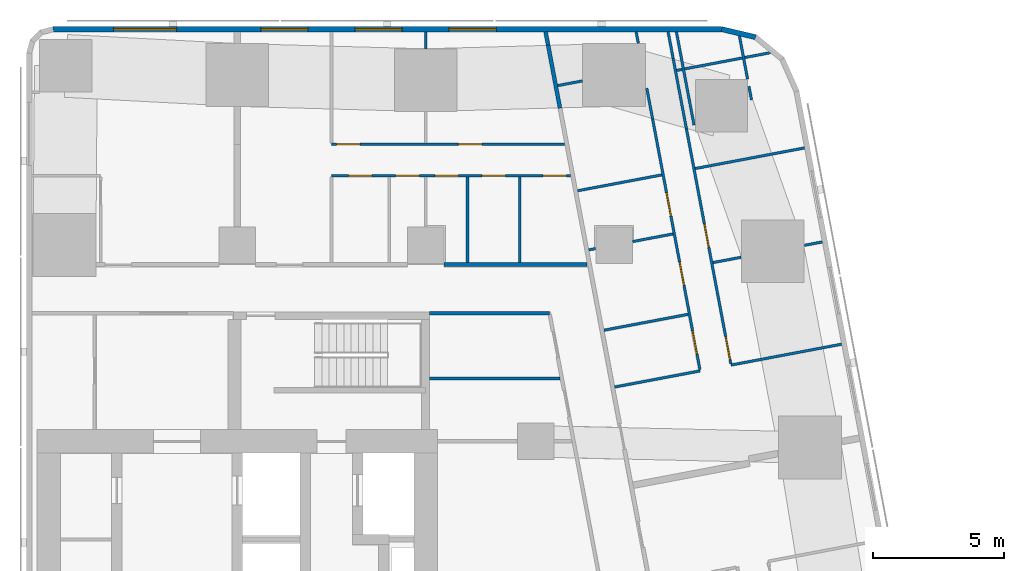
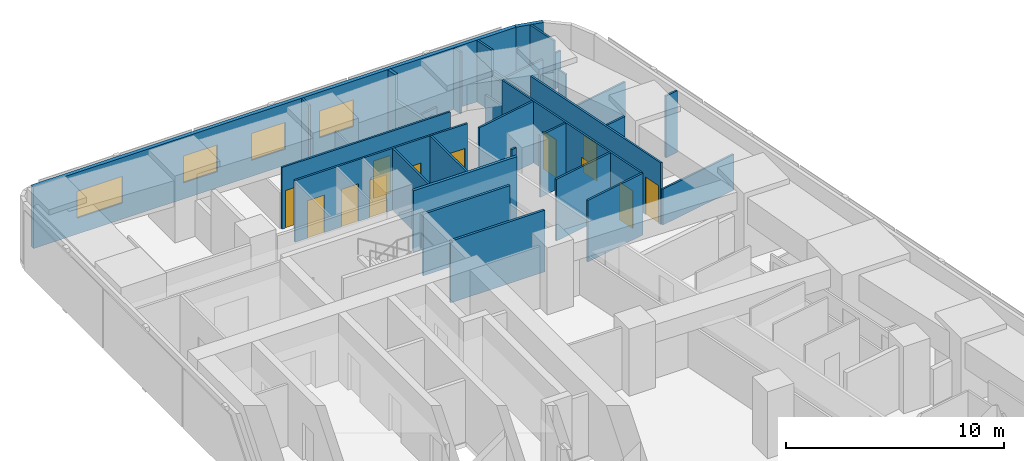
# One storey, part 7 of 10: 32 walls, 12 doors, 4 windows, 16 openings.
"""IFC4 building model written with IfcOpenShell, lengths in metres."""

from ifc_helpers import new_model, si_unit, direction, frame, frame_2d, origin, place, context, subcontext, project, spatial, rectangle, extrude, material, layer, layer_set, type_object, element, fill, save


model = new_model("IFC4")

# Units and contexts
model_context = context("Model", 3, precision=1e-05, world=origin(), true_north=direction((0.0, 1.0)))
body_context = subcontext(model_context, "Body", "Model", "MODEL_VIEW")
ifc_project = project(units=[si_unit("LENGTHUNIT", "METRE"), si_unit("AREAUNIT", "SQUARE_METRE"), si_unit("VOLUMEUNIT", "CUBIC_METRE"), si_unit("PLANEANGLEUNIT", "RADIAN"), si_unit("MASSUNIT", "GRAM", prefix="KILO")], contexts=[model_context])

# Site, building, storey
site_placement = place(None, origin())
site = spatial("IfcSite", under=ifc_project, at=site_placement, CompositionType="ELEMENT")
building_placement = place(site_placement, origin())
building = spatial("IfcBuilding", under=site, at=building_placement, Name="Sheger Commons Tower", CompositionType="ELEMENT")
storey_placement = place(building_placement, frame((0.0, 0.0, 242.449951171875)))
storey = spatial("IfcBuildingStorey", under=building, at=storey_placement, Name="L62", CompositionType="ELEMENT", Elevation=242.449951171875)

# Walls
ifc_material_1 = material(Name="Hollow concrete block masonry, skimmed both sides", Category="masonry")
ifc_layer_1 = layer(ifc_material_1, 0.14990234375)
ifc_layer_set_1 = layer_set([ifc_layer_1], Name="CORRIDOR WALL 150")
wall_type_1 = type_object("IfcWallType", Name="CORRIDOR WALL 150", PredefinedType="SOLIDWALL", material=ifc_layer_set_1)
wall_1_placement = place(storey_placement, frame((29.5009765625, 36.75, 0.0), z_axis=(0.0, 0.0, 1.0), x_axis=(1.0, 0.0, 0.0)))
element("IfcWall", 1, at=wall_1_placement, inside=storey, type_object=wall_type_1, Name="Corridor wall L62", PredefinedType="SOLIDWALL", context=body_context, shape_type="SweptSolid", body=[
    extrude(rectangle(XDim=5.470947265625, YDim=0.14990234375, at=frame_2d((2.7353515625, 0.0))), origin(), (0.0, 0.0, 1.0), 3.449951171875),
])
wall_2_placement = place(storey_placement, frame((33.382080078125, 45.64990234375, 0.0), z_axis=(0.0, 0.0, 1.0), x_axis=(0.185657456326, -0.982614527122, 0.0)))
element("IfcWall", 2, at=wall_2_placement, inside=storey, type_object=wall_type_1, Name="Corridor wall L62", PredefinedType="SOLIDWALL", context=body_context, shape_type="SweptSolid", body=[
    extrude(rectangle(XDim=0.516845703125, YDim=0.14990234375, at=frame_2d((0.25830078125, 0.0))), origin(), (0.0, 0.0, 1.0), 3.449951171875),
])
wall_3_placement = place(storey_placement, frame((33.47802734375, 45.14208984375, 0.0), z_axis=(0.0, 0.0, 1.0), x_axis=(0.185393362436, -0.982664388876, 0.0)))
element("IfcWall", 3, at=wall_3_placement, inside=storey, type_object=wall_type_1, Name="Corridor wall L62", PredefinedType="SOLIDWALL", context=body_context, shape_type="SweptSolid", body=[
    extrude(rectangle(XDim=2.45458984375, YDim=0.14990234375, at=frame_2d((1.227294921875, 0.0))), origin(), (0.0, 0.0, 1.0), 2.0),
])
ifc_material_2 = material(Name="Rendered concrete block masonry, dark grey", Category="masonry")
ifc_layer_2 = layer(ifc_material_2, 0.199951171875)
ifc_layer_set_2 = layer_set([ifc_layer_2], Name="FACADE WALL 200")
wall_type_2 = type_object("IfcWallType", Name="FACADE WALL 200", PredefinedType="SOLIDWALL", material=ifc_layer_set_2)
wall_4_placement = place(storey_placement, frame((41.406982421875, 45.444091796875, 0.0), z_axis=(0.0, 0.0, 1.0), x_axis=(-0.973453091607, 0.228886606077, 0.0)))
element("IfcWall", 4, at=wall_4_placement, inside=storey, type_object=wall_type_2, Name="Facade wall L62", PredefinedType="SOLIDWALL", context=body_context, shape_type="SweptSolid", body=[
    extrude(rectangle(XDim=1.33642578125, YDim=0.199951171875, at=frame_2d((0.668212890625, 0.0))), origin(), (0.0, 0.0, 1.0), 3.449951171875),
])

# Wall, openings, windows
wall_5_placement = place(storey_placement, frame((40.10595703125, 45.75, 0.0), z_axis=(0.0, 0.0, 1.0), x_axis=(-1.0, 0.0, 0.0)))
wall_5 = element("IfcWall", 5, at=wall_5_placement, inside=storey, type_object=wall_type_2, Name="Facade wall L62", PredefinedType="SOLIDWALL", context=body_context, shape_type="SweptSolid", body=[
    extrude(rectangle(XDim=25.54296875, YDim=0.199951171875, at=frame_2d((12.771484375, 0.0))), origin(), (0.0, 0.0, 1.0), 3.449951171875),
])
opening_1_placement = place(wall_5_placement, frame((8.60595703125, 0.0, 0.89990234375)))
opening_1 = element("IfcOpeningElement", 6, at=opening_1_placement, cuts=wall_5, Name="Opening W2", PredefinedType="OPENING", context=body_context, shape_type="SweptSolid", body=[
    extrude(rectangle(XDim=1.800048828125, YDim=1.5, at=frame_2d((0.89990234375, 0.75))), frame((0.0, 0.10986328125, 0.0), z_axis=(0.0, -1.0, 0.0), x_axis=(1.0, 0.0, 0.0)), (0.0, 0.0, 1.0), 0.219970703125),
])
opening_2_placement = place(wall_5_placement, frame((12.2060546875, 0.0, 0.89990234375)))
opening_2 = element("IfcOpeningElement", 7, at=opening_2_placement, cuts=wall_5, Name="Opening W2", PredefinedType="OPENING", context=body_context, shape_type="SweptSolid", body=[
    extrude(rectangle(XDim=1.800048828125, YDim=1.5, at=frame_2d((0.89990234375, 0.75))), frame((0.0, 0.10986328125, 0.0), z_axis=(0.0, -1.0, 0.0), x_axis=(1.0, 0.0, 0.0)), (0.0, 0.0, 1.0), 0.219970703125),
])
opening_3_placement = place(wall_5_placement, frame((15.805908203125, 0.0, 0.89990234375)))
opening_3 = element("IfcOpeningElement", 8, at=opening_3_placement, cuts=wall_5, Name="Opening W2", PredefinedType="OPENING", context=body_context, shape_type="SweptSolid", body=[
    extrude(rectangle(XDim=1.800048828125, YDim=1.5, at=frame_2d((0.89990234375, 0.75))), frame((0.0, 0.10986328125, 0.0), z_axis=(0.0, -1.0, 0.0), x_axis=(1.0, 0.0, 0.0)), (0.0, 0.0, 1.0), 0.219970703125),
])
opening_4_placement = place(wall_5_placement, frame((20.824951171875, 0.0, 0.89990234375)))
opening_4 = element("IfcOpeningElement", 9, at=opening_4_placement, cuts=wall_5, Name="Opening W1", PredefinedType="OPENING", context=body_context, shape_type="SweptSolid", body=[
    extrude(rectangle(XDim=2.39990234375, YDim=1.5, at=frame_2d((1.199951171875, 0.75))), frame((0.0, 0.10986328125, 0.0), z_axis=(0.0, -1.0, 0.0), x_axis=(1.0, 0.0, 0.0)), (0.0, 0.0, 1.0), 0.219970703125),
])
ifc_material_3 = material(Name="Black aluminium frame, dark tinted double glazing", Category="aluminium")
window_type_1 = type_object("IfcWindowType", Name="WINDOW W1 2400x1500", PartitioningType="SINGLE_PANEL", PredefinedType="WINDOW", material=ifc_material_3)
window_1_placement = place(opening_4_placement, origin())
window_1 = element("IfcWindow", 10, at=window_1_placement, inside=storey, type_object=window_type_1, Name="Window W1 2400X1500", OverallHeight=1.5, OverallWidth=2.39990234375, PartitioningType="SINGLE_PANEL", PredefinedType="WINDOW", context=body_context, shape_type="SweptSolid", body=[
    extrude(rectangle(XDim=2.39990234375, YDim=1.5, at=frame_2d((1.199951171875, 0.75))), frame((0.0, 0.030029296875, 0.0), z_axis=(0.0, -1.0, 0.0), x_axis=(1.0, 0.0, 0.0)), (0.0, 0.0, 1.0), 0.06005859375),
])
fill(opening_4, window_1)
ifc_material_4 = material(Name="Black aluminium frame, dark tinted double glazing", Category="aluminium")
window_type_2 = type_object("IfcWindowType", Name="WINDOW W2 1800x1500", PartitioningType="SINGLE_PANEL", PredefinedType="WINDOW", material=ifc_material_4)
window_2_placement = place(opening_1_placement, origin())
window_2 = element("IfcWindow", 11, at=window_2_placement, inside=storey, type_object=window_type_2, Name="Window W2 1800X1500", OverallHeight=1.5, OverallWidth=1.800048828125, PartitioningType="SINGLE_PANEL", PredefinedType="WINDOW", context=body_context, shape_type="SweptSolid", body=[
    extrude(rectangle(XDim=1.800048828125, YDim=1.5, at=frame_2d((0.89990234375, 0.75))), frame((0.0, 0.030029296875, 0.0), z_axis=(0.0, -1.0, 0.0), x_axis=(1.0, 0.0, 0.0)), (0.0, 0.0, 1.0), 0.06005859375),
])
fill(opening_1, window_2)
window_3_placement = place(opening_2_placement, origin())
window_3 = element("IfcWindow", 12, at=window_3_placement, inside=storey, type_object=window_type_2, Name="Window W2 1800X1500", OverallHeight=1.5, OverallWidth=1.800048828125, PartitioningType="SINGLE_PANEL", PredefinedType="WINDOW", context=body_context, shape_type="SweptSolid", body=[
    extrude(rectangle(XDim=1.800048828125, YDim=1.5, at=frame_2d((0.89990234375, 0.75))), frame((0.0, 0.030029296875, 0.0), z_axis=(0.0, -1.0, 0.0), x_axis=(1.0, 0.0, 0.0)), (0.0, 0.0, 1.0), 0.06005859375),
])
fill(opening_2, window_3)
window_4_placement = place(opening_3_placement, origin())
window_4 = element("IfcWindow", 13, at=window_4_placement, inside=storey, type_object=window_type_2, Name="Window W2 1800X1500", OverallHeight=1.5, OverallWidth=1.800048828125, PartitioningType="SINGLE_PANEL", PredefinedType="WINDOW", context=body_context, shape_type="SweptSolid", body=[
    extrude(rectangle(XDim=1.800048828125, YDim=1.5, at=frame_2d((0.89990234375, 0.75))), frame((0.0, 0.030029296875, 0.0), z_axis=(0.0, -1.0, 0.0), x_axis=(1.0, 0.0, 0.0)), (0.0, 0.0, 1.0), 0.06005859375),
])
fill(opening_3, window_4)

# Walls
ifc_material_5 = material(Name="Gypsum board on steel studs", Category="steel")
ifc_layer_3 = layer(ifc_material_5, 0.10009765625)
ifc_layer_set_3 = layer_set([ifc_layer_3], Name="PARTITION 100")
wall_type_3 = type_object("IfcWallType", Name="PARTITION 100", PredefinedType="PARTITIONING", material=ifc_layer_set_3)
wall_6_placement = place(storey_placement, frame((39.053955078125, 42.0849609375, 0.0), z_axis=(0.0, 0.0, 1.0), x_axis=(-0.185791584218, 0.982589175207, 0.0)))
element("IfcWall", 14, at=wall_6_placement, inside=storey, type_object=wall_type_3, Name="Partition L62", PredefinedType="PARTITIONING", context=body_context, shape_type="SweptSolid", body=[
    extrude(rectangle(XDim=3.628173828125, YDim=0.10009765625, at=frame_2d((1.81396484375, 0.0))), origin(), (0.0, 0.0, 1.0), 2.0),
])
wall_7_placement = place(storey_placement, frame((40.7890625, 45.487060546875, 0.0), z_axis=(0.0, 0.0, 1.0), x_axis=(0.185572395193, -0.982630594955, 0.0)))
element("IfcWall", 15, at=wall_7_placement, inside=storey, type_object=wall_type_3, Name="Partition L62", PredefinedType="PARTITIONING", context=body_context, shape_type="SweptSolid", body=[
    extrude(rectangle(XDim=1.676025390625, YDim=0.10009765625, at=frame_2d((0.837890625, 0.0))), origin(), (0.0, 0.0, 1.0), 3.449951171875),
])
wall_8_placement = place(storey_placement, frame((41.15087890625, 43.569091796875, 0.0), z_axis=(0.0, 0.0, 1.0), x_axis=(0.186563073924, -0.982442985342, 0.0)))
element("IfcWall", 16, at=wall_8_placement, inside=storey, type_object=wall_type_3, Name="Partition L62", PredefinedType="PARTITIONING", context=body_context, shape_type="SweptSolid", body=[
    extrude(rectangle(XDim=0.53125, YDim=0.10009765625, at=frame_2d((0.265625, 0.0))), origin(), (0.0, 0.0, 1.0), 2.0),
])
wall_9_placement = place(storey_placement, frame((38.06298828125, 45.64990234375, 0.0), z_axis=(0.0, 0.0, 1.0), x_axis=(0.185677287841, -0.982610779902, 0.0)))
element("IfcWall", 17, at=wall_9_placement, inside=storey, type_object=wall_type_3, Name="Partition L62", PredefinedType="PARTITIONING", context=body_context, shape_type="SweptSolid", body=[
    extrude(rectangle(XDim=1.0400390625, YDim=0.10009765625, at=frame_2d((0.52001953125, 0.0))), origin(), (0.0, 0.0, 1.0), 3.449951171875),
])
wall_10_placement = place(storey_placement, frame((38.256103515625, 44.6279296875, 0.0), z_axis=(0.0, 0.0, 1.0), x_axis=(0.185700639943, -0.982606366927, 0.0)))
element("IfcWall", 18, at=wall_10_placement, inside=storey, type_object=wall_type_3, Name="Partition L62", PredefinedType="PARTITIONING", context=body_context, shape_type="SweptSolid", body=[
    extrude(rectangle(XDim=2.734619140625, YDim=0.10009765625, at=frame_2d((1.3671875, 0.0))), origin(), (0.0, 0.0, 1.0), 2.0),
])

# Wall, openings, doors
wall_11_placement = place(storey_placement, frame((38.763916015625, 41.94091796875, 0.0), z_axis=(0.0, 0.0, 1.0), x_axis=(0.185548572312, -0.982635093671, 0.0)))
wall_11 = element("IfcWall", 19, at=wall_11_placement, inside=storey, type_object=wall_type_3, Name="Partition L62", PredefinedType="PARTITIONING", context=body_context, shape_type="SweptSolid", body=[
    extrude(rectangle(XDim=9.135498046875, YDim=0.10009765625, at=frame_2d((4.56787109375, 0.0))), origin(), (0.0, 0.0, 1.0), 3.449951171875),
])
opening_5_placement = place(wall_11_placement, frame((8.0849609375, 0.0, 0.0)))
opening_5 = element("IfcOpeningElement", 20, at=opening_5_placement, cuts=wall_11, Name="Opening D2", PredefinedType="OPENING", context=body_context, shape_type="SweptSolid", body=[
    extrude(rectangle(XDim=0.89990234375, YDim=2.10009765625, at=frame_2d((0.449951171875, 1.050048828125))), frame((0.0, 0.06005859375, 0.0), z_axis=(0.0, -1.0, 0.0), x_axis=(1.0, 0.0, 0.0)), (0.0, 0.0, 1.0), 0.1201171875),
])
opening_6_placement = place(wall_11_placement, frame((3.699951171875, 0.0, 0.0)))
opening_6 = element("IfcOpeningElement", 21, at=opening_6_placement, cuts=wall_11, Name="Opening D2", PredefinedType="OPENING", context=body_context, shape_type="SweptSolid", body=[
    extrude(rectangle(XDim=0.89990234375, YDim=2.10009765625, at=frame_2d((0.449951171875, 1.050048828125))), frame((0.0, 0.06005859375, 0.0), z_axis=(0.0, -1.0, 0.0), x_axis=(1.0, 0.0, 0.0)), (0.0, 0.0, 1.0), 0.1201171875),
])
ifc_material_6 = material(Name="Timber door set", Category="wood")
door_type = type_object("IfcDoorType", Name="INTERNAL DOOR 900x2100", OperationType="NOTDEFINED", PredefinedType="DOOR", material=ifc_material_6)
door_1_placement = place(opening_5_placement, origin())
door_1 = element("IfcDoor", 22, at=door_1_placement, inside=storey, type_object=door_type, Name="Main bedroom door", OperationType="SINGLE_SWING_RIGHT", OverallHeight=2.10009765625, OverallWidth=0.89990234375, PredefinedType="DOOR", context=body_context, shape_type="SweptSolid", body=[
    extrude(rectangle(XDim=0.89990234375, YDim=2.10009765625, at=frame_2d((0.449951171875, 1.050048828125))), frame((0.0, 0.02490234375, 0.0), z_axis=(0.0, -1.0, 0.0), x_axis=(1.0, 0.0, 0.0)), (0.0, 0.0, 1.0), 0.050048828125),
])
fill(opening_5, door_1)
door_2_placement = place(opening_6_placement, origin())
door_2 = element("IfcDoor", 23, at=door_2_placement, inside=storey, type_object=door_type, Name="Bedroom 2 door", OperationType="SINGLE_SWING_RIGHT", OverallHeight=2.10009765625, OverallWidth=0.89990234375, PredefinedType="DOOR", context=body_context, shape_type="SweptSolid", body=[
    extrude(rectangle(XDim=0.89990234375, YDim=2.10009765625, at=frame_2d((0.449951171875, 1.050048828125))), frame((0.0, 0.02490234375, 0.0), z_axis=(0.0, -1.0, 0.0), x_axis=(1.0, 0.0, 0.0)), (0.0, 0.0, 1.0), 0.050048828125),
])
fill(opening_6, door_2)

# Walls
wall_12_placement = place(storey_placement, frame((36.842041015625, 45.64990234375, 0.0), z_axis=(0.0, 0.0, 1.0), x_axis=(0.185407859198, -0.982661653748, 0.0)))
element("IfcWall", 24, at=wall_12_placement, inside=storey, type_object=wall_type_3, Name="Partition L62", PredefinedType="PARTITIONING", context=body_context, shape_type="SweptSolid", body=[
    extrude(rectangle(XDim=0.44775390625, YDim=0.10009765625, at=frame_2d((0.223876953125, 0.0))), origin(), (0.0, 0.0, 1.0), 3.449951171875),
])
wall_13_placement = place(storey_placement, frame((37.2490234375, 43.492919921875, 0.0), z_axis=(0.0, 0.0, 1.0), x_axis=(0.185817643817, -0.982584247404, 0.0)))
element("IfcWall", 25, at=wall_13_placement, inside=storey, type_object=wall_type_3, Name="Partition L62", PredefinedType="PARTITIONING", context=body_context, shape_type="SweptSolid", body=[
    extrude(rectangle(XDim=1.204833984375, YDim=0.10009765625, at=frame_2d((0.6025390625, 0.0))), origin(), (0.0, 0.0, 1.0), 2.0),
])

# Wall, openings, doors
wall_14_placement = place(storey_placement, frame((37.472900390625, 42.30908203125, 0.0), z_axis=(0.0, 0.0, 1.0), x_axis=(0.185491912953, -0.982645790827, 0.0)))
wall_14 = element("IfcWall", 26, at=wall_14_placement, inside=storey, type_object=wall_type_3, Name="Partition L62", PredefinedType="PARTITIONING", context=body_context, shape_type="SweptSolid", body=[
    extrude(rectangle(XDim=9.737060546875, YDim=0.10009765625, at=frame_2d((4.86865234375, 0.0))), origin(), (0.0, 0.0, 1.0), 3.449951171875),
])
opening_7_placement = place(wall_14_placement, frame((8.23193359375, 0.0, 0.0)))
opening_7 = element("IfcOpeningElement", 27, at=opening_7_placement, cuts=wall_14, Name="Opening D2", PredefinedType="OPENING", context=body_context, shape_type="SweptSolid", body=[
    extrude(rectangle(XDim=0.89990234375, YDim=2.10009765625, at=frame_2d((0.449951171875, 1.050048828125))), frame((0.0, 0.06005859375, 0.0), z_axis=(0.0, -1.0, 0.0), x_axis=(1.0, 0.0, 0.0)), (0.0, 0.0, 1.0), 0.1201171875),
])
opening_8_placement = place(wall_14_placement, frame((2.85302734375, 0.0, 0.0)))
opening_8 = element("IfcOpeningElement", 28, at=opening_8_placement, cuts=wall_14, Name="Opening D2", PredefinedType="OPENING", context=body_context, shape_type="SweptSolid", body=[
    extrude(rectangle(XDim=0.89990234375, YDim=2.10009765625, at=frame_2d((0.449951171875, 1.050048828125))), frame((0.0, 0.06005859375, 0.0), z_axis=(0.0, -1.0, 0.0), x_axis=(1.0, 0.0, 0.0)), (0.0, 0.0, 1.0), 0.1201171875),
])
opening_9_placement = place(wall_14_placement, frame((5.56396484375, 0.0, 0.0)))
opening_9 = element("IfcOpeningElement", 29, at=opening_9_placement, cuts=wall_14, Name="Opening D2", PredefinedType="OPENING", context=body_context, shape_type="SweptSolid", body=[
    extrude(rectangle(XDim=0.89990234375, YDim=2.10009765625, at=frame_2d((0.449951171875, 1.050048828125))), frame((0.0, 0.06005859375, 0.0), z_axis=(0.0, -1.0, 0.0), x_axis=(1.0, 0.0, 0.0)), (0.0, 0.0, 1.0), 0.1201171875),
])
door_3_placement = place(opening_7_placement, origin())
door_3 = element("IfcDoor", 30, at=door_3_placement, inside=storey, type_object=door_type, Name="Bathroom door", OperationType="SINGLE_SWING_LEFT", OverallHeight=2.10009765625, OverallWidth=0.89990234375, PredefinedType="DOOR", context=body_context, shape_type="SweptSolid", body=[
    extrude(rectangle(XDim=0.89990234375, YDim=2.10009765625, at=frame_2d((0.449951171875, 1.050048828125))), frame((0.0, 0.02490234375, 0.0), z_axis=(0.0, -1.0, 0.0), x_axis=(1.0, 0.0, 0.0)), (0.0, 0.0, 1.0), 0.050048828125),
])
fill(opening_7, door_3)
door_4_placement = place(opening_8_placement, origin())
door_4 = element("IfcDoor", 31, at=door_4_placement, inside=storey, type_object=door_type, Name="Laundry room door", OperationType="SINGLE_SWING_LEFT", OverallHeight=2.10009765625, OverallWidth=0.89990234375, PredefinedType="DOOR", context=body_context, shape_type="SweptSolid", body=[
    extrude(rectangle(XDim=0.89990234375, YDim=2.10009765625, at=frame_2d((0.449951171875, 1.050048828125))), frame((0.0, 0.02490234375, 0.0), z_axis=(0.0, -1.0, 0.0), x_axis=(1.0, 0.0, 0.0)), (0.0, 0.0, 1.0), 0.050048828125),
])
fill(opening_8, door_4)
door_5_placement = place(opening_9_placement, origin())
door_5 = element("IfcDoor", 32, at=door_5_placement, inside=storey, type_object=door_type, Name="Store door", OperationType="SINGLE_SWING_LEFT", OverallHeight=2.10009765625, OverallWidth=0.89990234375, PredefinedType="DOOR", context=body_context, shape_type="SweptSolid", body=[
    extrude(rectangle(XDim=0.89990234375, YDim=2.10009765625, at=frame_2d((0.449951171875, 1.050048828125))), frame((0.0, 0.02490234375, 0.0), z_axis=(0.0, -1.0, 0.0), x_axis=(1.0, 0.0, 0.0)), (0.0, 0.0, 1.0), 0.050048828125),
])
fill(opening_9, door_5)

# Walls
wall_15_placement = place(storey_placement, frame((41.968017578125, 44.85009765625, 0.0), z_axis=(0.0, 0.0, 1.0), x_axis=(-0.98258614234, -0.185807623311, 0.0)))
element("IfcWall", 33, at=wall_15_placement, inside=storey, type_object=wall_type_3, Name="Partition L62", PredefinedType="PARTITIONING", context=body_context, shape_type="SweptSolid", body=[
    extrude(rectangle(XDim=3.638427734375, YDim=0.10009765625, at=frame_2d((1.8193359375, 0.0))), origin(), (0.0, 0.0, 1.0), 2.0),
])
wall_16_placement = place(storey_placement, frame((43.277099609375, 41.2119140625, 0.0), z_axis=(0.0, 0.0, 1.0), x_axis=(-0.982665405803, -0.185387972203, 0.0)))
element("IfcWall", 34, at=wall_16_placement, inside=storey, type_object=wall_type_3, Name="Partition L62", PredefinedType="PARTITIONING", context=body_context, shape_type="SweptSolid", body=[
    extrude(rectangle(XDim=4.249755859375, YDim=0.10009765625, at=frame_2d((2.125, 0.0))), origin(), (0.0, 0.0, 1.0), 2.0),
])
wall_17_placement = place(storey_placement, frame((43.955078125, 37.6201171875, 0.0), z_axis=(0.0, 0.0, 1.0), x_axis=(-0.982495415327, -0.186286765128, 0.0)))
element("IfcWall", 35, at=wall_17_placement, inside=storey, type_object=wall_type_3, Name="Partition L62", PredefinedType="PARTITIONING", context=body_context, shape_type="SweptSolid", body=[
    extrude(rectangle(XDim=0.693359375, YDim=0.10009765625, at=frame_2d((0.3466796875, 0.0))), origin(), (0.0, 0.0, 1.0), 3.449951171875),
])
wall_18_placement = place(storey_placement, frame((40.85400390625, 37.033935546875, 0.0), z_axis=(0.0, 0.0, 1.0), x_axis=(-0.982651678759, -0.185460718839, 0.0)))
element("IfcWall", 36, at=wall_18_placement, inside=storey, type_object=wall_type_3, Name="Partition L62", PredefinedType="PARTITIONING", context=body_context, shape_type="SweptSolid", body=[
    extrude(rectangle(XDim=1.093994140625, YDim=0.10009765625, at=frame_2d((0.546875, 0.0))), origin(), (0.0, 0.0, 1.0), 3.449951171875),
])
wall_19_placement = place(storey_placement, frame((44.693115234375, 33.712890625, 0.0), z_axis=(0.0, 0.0, 1.0), x_axis=(-0.982633535512, -0.185556823879, 0.0)))
element("IfcWall", 37, at=wall_19_placement, inside=storey, type_object=wall_type_3, Name="Partition L62", PredefinedType="PARTITIONING", context=body_context, shape_type="SweptSolid", body=[
    extrude(rectangle(XDim=4.2998046875, YDim=0.10009765625, at=frame_2d((2.14990234375, 0.0))), origin(), (0.0, 0.0, 1.0), 2.0),
])
wall_20_placement = place(storey_placement, frame((34.7900390625, 43.77197265625, 0.0), z_axis=(0.0, 0.0, 1.0), x_axis=(-0.982655532093, -0.185440301034, 0.0)))
element("IfcWall", 38, at=wall_20_placement, inside=storey, type_object=wall_type_3, Name="Partition L62", PredefinedType="PARTITIONING", context=body_context, shape_type="SweptSolid", body=[
    extrude(rectangle(XDim=0.959716796875, YDim=0.10009765625, at=frame_2d((0.47998046875, 0.0))), origin(), (0.0, 0.0, 1.0), 2.0),
])
wall_21_placement = place(storey_placement, frame((37.822998046875, 40.181884765625, 0.0), z_axis=(0.0, 0.0, 1.0), x_axis=(-0.982664729897, -0.18539155487, 0.0)))
element("IfcWall", 39, at=wall_21_placement, inside=storey, type_object=wall_type_3, Name="Partition L62", PredefinedType="PARTITIONING", context=body_context, shape_type="SweptSolid", body=[
    extrude(rectangle(XDim=3.273681640625, YDim=0.10009765625, at=frame_2d((1.63671875, 0.0))), origin(), (0.0, 0.0, 1.0), 3.449951171875),
])
wall_22_placement = place(storey_placement, frame((38.25, 37.925048828125, 0.0), z_axis=(0.0, 0.0, 1.0), x_axis=(-0.982610209589, -0.185680305934, 0.0)))
element("IfcWall", 40, at=wall_22_placement, inside=storey, type_object=wall_type_3, Name="Partition L62", PredefinedType="PARTITIONING", context=body_context, shape_type="SweptSolid", body=[
    extrude(rectangle(XDim=1.5673828125, YDim=0.10009765625, at=frame_2d((0.78369140625, 0.0))), origin(), (0.0, 0.0, 1.0), 3.449951171875),
])
wall_23_placement = place(storey_placement, frame((35.2900390625, 37.365966796875, 0.0), z_axis=(0.0, 0.0, 1.0), x_axis=(-0.982395465615, -0.18681313963, 0.0)))
element("IfcWall", 41, at=wall_23_placement, inside=storey, type_object=wall_type_3, Name="Partition L62", PredefinedType="PARTITIONING", context=body_context, shape_type="SweptSolid", body=[
    extrude(rectangle(XDim=0.2626953125, YDim=0.10009765625, at=frame_2d((0.13134765625, 0.0))), origin(), (0.0, 0.0, 1.0), 3.449951171875),
])
wall_24_placement = place(storey_placement, frame((39.2890625, 32.69189453125, 0.0), z_axis=(0.0, 0.0, 1.0), x_axis=(-0.982633623707, -0.185556356831, 0.0)))
element("IfcWall", 42, at=wall_24_placement, inside=storey, type_object=wall_type_3, Name="Partition L62", PredefinedType="PARTITIONING", context=body_context, shape_type="SweptSolid", body=[
    extrude(rectangle(XDim=3.324951171875, YDim=0.10009765625, at=frame_2d((1.66259765625, 0.0))), origin(), (0.0, 0.0, 1.0), 3.449951171875),
])
wall_25_placement = place(storey_placement, frame((38.8291015625, 34.85498046875, 0.0), z_axis=(0.0, 0.0, 1.0), x_axis=(-0.982610347627, -0.185679575441, 0.0)))
element("IfcWall", 43, at=wall_25_placement, inside=storey, type_object=wall_type_3, Name="Partition L62", PredefinedType="PARTITIONING", context=body_context, shape_type="SweptSolid", body=[
    extrude(rectangle(XDim=3.27392578125, YDim=0.10009765625, at=frame_2d((1.636962890625, 0.0))), origin(), (0.0, 0.0, 1.0), 3.449951171875),
])

# Wall, openings, doors
wall_26_placement = place(storey_placement, frame((25.199951171875, 41.35009765625, 0.0), z_axis=(0.0, 0.0, 1.0), x_axis=(1.0, 0.0, 0.0)))
wall_26 = element("IfcWall", 44, at=wall_26_placement, inside=storey, type_object=wall_type_3, Name="Partition L62", PredefinedType="PARTITIONING", context=body_context, shape_type="SweptSolid", body=[
    extrude(rectangle(XDim=8.907958984375, YDim=0.10009765625, at=frame_2d((4.4541015625, 0.0))), origin(), (0.0, 0.0, 1.0), 3.449951171875),
])
opening_10_placement = place(wall_26_placement, frame((0.199951171875, 0.0, 0.0)))
opening_10 = element("IfcOpeningElement", 45, at=opening_10_placement, cuts=wall_26, Name="Opening D2", PredefinedType="OPENING", context=body_context, shape_type="SweptSolid", body=[
    extrude(rectangle(XDim=0.89990234375, YDim=2.10009765625, at=frame_2d((0.449951171875, 1.050048828125))), frame((0.0, 0.06005859375, 0.0), z_axis=(0.0, -1.0, 0.0), x_axis=(1.0, 0.0, 0.0)), (0.0, 0.0, 1.0), 0.1201171875),
])
opening_11_placement = place(wall_26_placement, frame((4.85009765625, 0.0, 0.0)))
opening_11 = element("IfcOpeningElement", 46, at=opening_11_placement, cuts=wall_26, Name="Opening D2", PredefinedType="OPENING", context=body_context, shape_type="SweptSolid", body=[
    extrude(rectangle(XDim=0.89990234375, YDim=2.10009765625, at=frame_2d((0.449951171875, 1.050048828125))), frame((0.0, 0.06005859375, 0.0), z_axis=(0.0, -1.0, 0.0), x_axis=(1.0, 0.0, 0.0)), (0.0, 0.0, 1.0), 0.1201171875),
])
door_6_placement = place(opening_10_placement, origin())
door_6 = element("IfcDoor", 47, at=door_6_placement, inside=storey, type_object=door_type, Name="Main bedroom door", OperationType="SINGLE_SWING_LEFT", OverallHeight=2.10009765625, OverallWidth=0.89990234375, PredefinedType="DOOR", context=body_context, shape_type="SweptSolid", body=[
    extrude(rectangle(XDim=0.89990234375, YDim=2.10009765625, at=frame_2d((0.449951171875, 1.050048828125))), frame((0.0, 0.02490234375, 0.0), z_axis=(0.0, -1.0, 0.0), x_axis=(1.0, 0.0, 0.0)), (0.0, 0.0, 1.0), 0.050048828125),
])
fill(opening_10, door_6)
door_7_placement = place(opening_11_placement, origin())
door_7 = element("IfcDoor", 48, at=door_7_placement, inside=storey, type_object=door_type, Name="Bedroom 2 door", OperationType="SINGLE_SWING_LEFT", OverallHeight=2.10009765625, OverallWidth=0.89990234375, PredefinedType="DOOR", context=body_context, shape_type="SweptSolid", body=[
    extrude(rectangle(XDim=0.89990234375, YDim=2.10009765625, at=frame_2d((0.449951171875, 1.050048828125))), frame((0.0, 0.02490234375, 0.0), z_axis=(0.0, -1.0, 0.0), x_axis=(1.0, 0.0, 0.0)), (0.0, 0.0, 1.0), 0.050048828125),
])
fill(opening_11, door_7)

wall_27_placement = place(storey_placement, frame((25.199951171875, 40.14990234375, 0.0), z_axis=(0.0, 0.0, 1.0), x_axis=(1.0, 0.0, 0.0)))
wall_27 = element("IfcWall", 49, at=wall_27_placement, inside=storey, type_object=wall_type_3, Name="Partition L62", PredefinedType="PARTITIONING", context=body_context, shape_type="SweptSolid", body=[
    extrude(rectangle(XDim=9.135009765625, YDim=0.10009765625, at=frame_2d((4.5673828125, 0.0))), origin(), (0.0, 0.0, 1.0), 3.449951171875),
])
opening_12_placement = place(wall_27_placement, frame((0.655029296875, 0.0, 0.0)))
opening_12 = element("IfcOpeningElement", 50, at=opening_12_placement, cuts=wall_27, Name="Opening D2", PredefinedType="OPENING", context=body_context, shape_type="SweptSolid", body=[
    extrude(rectangle(XDim=0.89990234375, YDim=2.10009765625, at=frame_2d((0.449951171875, 1.050048828125))), frame((0.0, 0.06005859375, 0.0), z_axis=(0.0, -1.0, 0.0), x_axis=(1.0, 0.0, 0.0)), (0.0, 0.0, 1.0), 0.1201171875),
])
opening_13_placement = place(wall_27_placement, frame((3.949951171875, 0.0, 0.0)))
opening_13 = element("IfcOpeningElement", 51, at=opening_13_placement, cuts=wall_27, Name="Opening D2", PredefinedType="OPENING", context=body_context, shape_type="SweptSolid", body=[
    extrude(rectangle(XDim=0.89990234375, YDim=2.10009765625, at=frame_2d((0.449951171875, 1.050048828125))), frame((0.0, 0.06005859375, 0.0), z_axis=(0.0, -1.0, 0.0), x_axis=(1.0, 0.0, 0.0)), (0.0, 0.0, 1.0), 0.1201171875),
])
opening_14_placement = place(wall_27_placement, frame((8.0810546875, 0.0, 0.0)))
opening_14 = element("IfcOpeningElement", 52, at=opening_14_placement, cuts=wall_27, Name="Opening D2", PredefinedType="OPENING", context=body_context, shape_type="SweptSolid", body=[
    extrude(rectangle(XDim=0.89990234375, YDim=2.10009765625, at=frame_2d((0.449951171875, 1.050048828125))), frame((0.0, 0.06005859375, 0.0), z_axis=(0.0, -1.0, 0.0), x_axis=(1.0, 0.0, 0.0)), (0.0, 0.0, 1.0), 0.1201171875),
])
opening_15_placement = place(wall_27_placement, frame((2.455078125, 0.0, 0.0)))
opening_15 = element("IfcOpeningElement", 53, at=opening_15_placement, cuts=wall_27, Name="Opening D2", PredefinedType="OPENING", context=body_context, shape_type="SweptSolid", body=[
    extrude(rectangle(XDim=0.89990234375, YDim=2.10009765625, at=frame_2d((0.449951171875, 1.050048828125))), frame((0.0, 0.06005859375, 0.0), z_axis=(0.0, -1.0, 0.0), x_axis=(1.0, 0.0, 0.0)), (0.0, 0.0, 1.0), 0.1201171875),
])
opening_16_placement = place(wall_27_placement, frame((5.75, 0.0, 0.0)))
opening_16 = element("IfcOpeningElement", 54, at=opening_16_placement, cuts=wall_27, Name="Opening D2", PredefinedType="OPENING", context=body_context, shape_type="SweptSolid", body=[
    extrude(rectangle(XDim=0.89990234375, YDim=2.10009765625, at=frame_2d((0.449951171875, 1.050048828125))), frame((0.0, 0.06005859375, 0.0), z_axis=(0.0, -1.0, 0.0), x_axis=(1.0, 0.0, 0.0)), (0.0, 0.0, 1.0), 0.1201171875),
])
door_8_placement = place(opening_12_placement, origin())
door_8 = element("IfcDoor", 55, at=door_8_placement, inside=storey, type_object=door_type, Name="Bathroom door", OperationType="SINGLE_SWING_RIGHT", OverallHeight=2.10009765625, OverallWidth=0.89990234375, PredefinedType="DOOR", context=body_context, shape_type="SweptSolid", body=[
    extrude(rectangle(XDim=0.89990234375, YDim=2.10009765625, at=frame_2d((0.449951171875, 1.050048828125))), frame((0.0, 0.02490234375, 0.0), z_axis=(0.0, -1.0, 0.0), x_axis=(1.0, 0.0, 0.0)), (0.0, 0.0, 1.0), 0.050048828125),
])
fill(opening_12, door_8)
door_9_placement = place(opening_13_placement, origin())
door_9 = element("IfcDoor", 56, at=door_9_placement, inside=storey, type_object=door_type, Name="Shower room door", OperationType="SINGLE_SWING_LEFT", OverallHeight=2.10009765625, OverallWidth=0.89990234375, PredefinedType="DOOR", context=body_context, shape_type="SweptSolid", body=[
    extrude(rectangle(XDim=0.89990234375, YDim=2.10009765625, at=frame_2d((0.449951171875, 1.050048828125))), frame((0.0, 0.02490234375, 0.0), z_axis=(0.0, -1.0, 0.0), x_axis=(1.0, 0.0, 0.0)), (0.0, 0.0, 1.0), 0.050048828125),
])
fill(opening_13, door_9)
door_10_placement = place(opening_14_placement, origin())
door_10 = element("IfcDoor", 57, at=door_10_placement, inside=storey, type_object=door_type, Name="Laundry room door", OperationType="SINGLE_SWING_LEFT", OverallHeight=2.10009765625, OverallWidth=0.89990234375, PredefinedType="DOOR", context=body_context, shape_type="SweptSolid", body=[
    extrude(rectangle(XDim=0.89990234375, YDim=2.10009765625, at=frame_2d((0.449951171875, 1.050048828125))), frame((0.0, 0.02490234375, 0.0), z_axis=(0.0, -1.0, 0.0), x_axis=(1.0, 0.0, 0.0)), (0.0, 0.0, 1.0), 0.050048828125),
])
fill(opening_14, door_10)
door_11_placement = place(opening_15_placement, origin())
door_11 = element("IfcDoor", 58, at=door_11_placement, inside=storey, type_object=door_type, Name="Store door", OperationType="SINGLE_SWING_RIGHT", OverallHeight=2.10009765625, OverallWidth=0.89990234375, PredefinedType="DOOR", context=body_context, shape_type="SweptSolid", body=[
    extrude(rectangle(XDim=0.89990234375, YDim=2.10009765625, at=frame_2d((0.449951171875, 1.050048828125))), frame((0.0, 0.02490234375, 0.0), z_axis=(0.0, -1.0, 0.0), x_axis=(1.0, 0.0, 0.0)), (0.0, 0.0, 1.0), 0.050048828125),
])
fill(opening_15, door_11)
door_12_placement = place(opening_16_placement, origin())
door_12 = element("IfcDoor", 59, at=door_12_placement, inside=storey, type_object=door_type, Name="Store door", OperationType="SINGLE_SWING_RIGHT", OverallHeight=2.10009765625, OverallWidth=0.89990234375, PredefinedType="DOOR", context=body_context, shape_type="SweptSolid", body=[
    extrude(rectangle(XDim=0.89990234375, YDim=2.10009765625, at=frame_2d((0.449951171875, 1.050048828125))), frame((0.0, 0.02490234375, 0.0), z_axis=(0.0, -1.0, 0.0), x_axis=(1.0, 0.0, 0.0)), (0.0, 0.0, 1.0), 0.050048828125),
])
fill(opening_16, door_12)

# Walls
wall_28_placement = place(storey_placement, frame((28.800048828125, 45.0009765625, 0.0), z_axis=(0.0, 0.0, 1.0), x_axis=(0.0, 1.0, 0.0)))
element("IfcWall", 60, at=wall_28_placement, inside=storey, type_object=wall_type_3, Name="Partition L62", PredefinedType="PARTITIONING", context=body_context, shape_type="SweptSolid", body=[
    extrude(rectangle(XDim=0.64892578125, YDim=0.10009765625, at=frame_2d((0.324462890625, 0.0))), origin(), (0.0, 0.0, 1.0), 3.449951171875),
])
for number, where, z_axis, x_axis, name in (
    (61, (32.39990234375, 36.824951171875, 0.0), (0.0, 0.0, 1.0), (0.0, 1.0, 0.0), "Partition L62"),
    (62, (30.39990234375, 36.824951171875, 0.0), (0.0, 0.0, 1.0), (0.0, 1.0, 0.0), "Partition L62"),
):
    element("IfcWall", number, at=place(storey_placement, frame(where, z_axis=z_axis, x_axis=x_axis)), inside=storey, type_object=wall_type_3, Name=name, PredefinedType="PARTITIONING", context=body_context, shape_type="SweptSolid", body=[
        extrude(rectangle(XDim=3.275146484375, YDim=0.10009765625, at=frame_2d((1.6376953125, 0.0))), origin(), (0.0, 0.0, 1.0), 3.449951171875),
    ])
ifc_material_7 = material(Name="Gypsum board on steel studs, two layers each side, fire rated", Category="steel")
ifc_layer_4 = layer(ifc_material_7, 0.125)
ifc_layer_set_4 = layer_set([ifc_layer_4], Name="SERVICE WALL 125")
wall_type_4 = type_object("IfcWallType", Name="SERVICE WALL 125", PredefinedType="PARTITIONING", material=ifc_layer_set_4)
wall_29_placement = place(storey_placement, frame((28.949951171875, 34.89990234375, 0.0), z_axis=(0.0, 0.0, 1.0), x_axis=(1.0, 0.0, 0.0)))
element("IfcWall", 63, at=wall_29_placement, inside=storey, type_object=wall_type_4, Name="Service room wall L62", PredefinedType="PARTITIONING", context=body_context, shape_type="SweptSolid", body=[
    extrude(rectangle(XDim=4.588134765625, YDim=0.125, at=frame_2d((2.2939453125, 0.0))), origin(), (0.0, 0.0, 1.0), 3.449951171875),
])
wall_30_placement = place(storey_placement, frame((28.949951171875, 32.39990234375, 0.0), z_axis=(0.0, 0.0, 1.0), x_axis=(1.0, 0.0, 0.0)))
element("IfcWall", 64, at=wall_30_placement, inside=storey, type_object=wall_type_4, Name="Service room wall L62", PredefinedType="PARTITIONING", context=body_context, shape_type="SweptSolid", body=[
    extrude(rectangle(XDim=4.97607421875, YDim=0.125, at=frame_2d((2.488037109375, 0.0))), origin(), (0.0, 0.0, 1.0), 3.449951171875),
])

save(model, "model.ifc")
